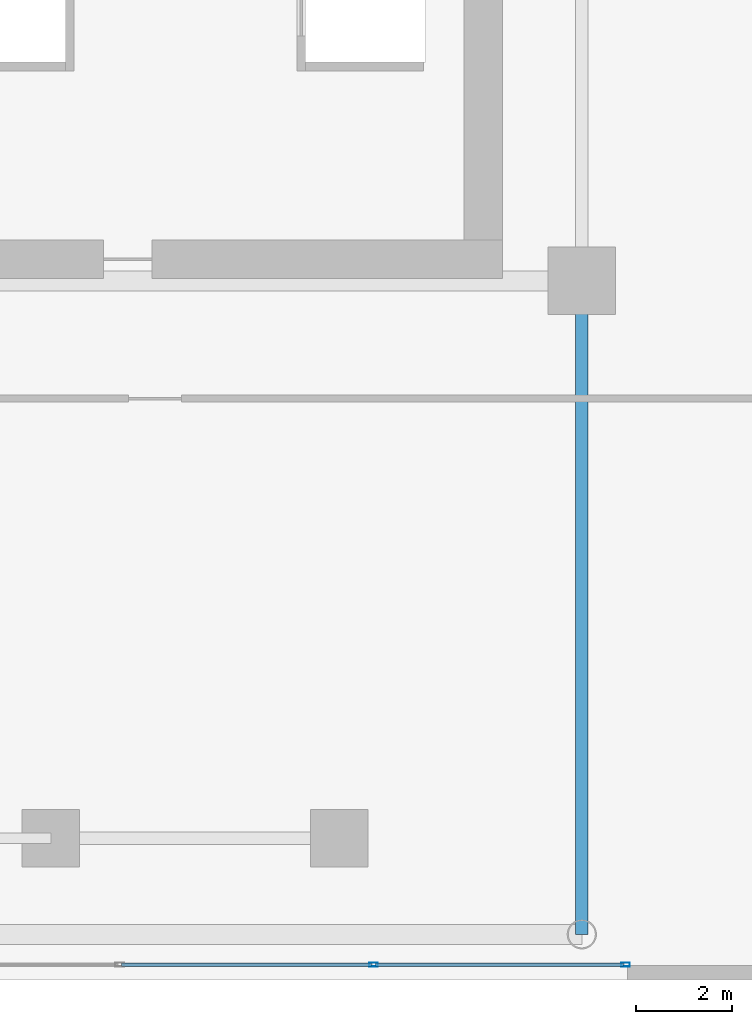
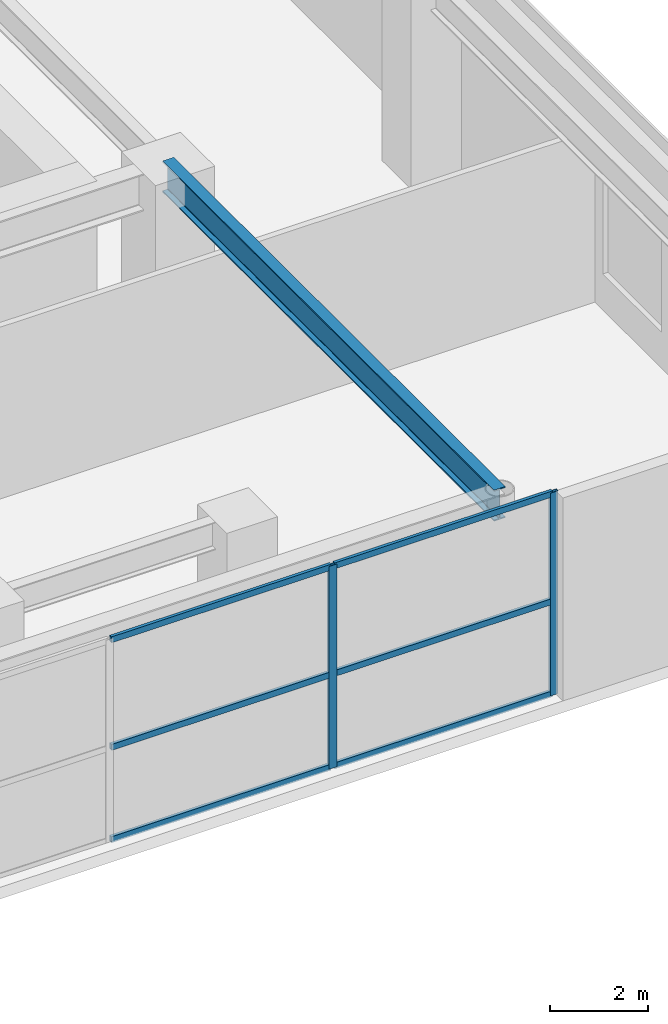
# One storey, part 10 of 29: 8 members, 1 beam, 1 element without a shape of its own.
"""IFC4 building model written with IfcOpenShell, lengths in metres."""

from ifc_helpers import new_model, si_unit, direction, frame, origin, origin_2d, place, context, subcontext, project, spatial, hollow_rectangle, i_section, extrude, source, transform, mapped, material, layer, layer_set, material_profile, profile_set, type_object, element, aggregate, save


model = new_model("IFC4")

# Units and contexts
model_context = context("Model", 3, precision=1e-05, world=origin(), true_north=direction((0.0, 1.0)))
body_context = subcontext(model_context, "Body", "Model", "MODEL_VIEW")
ifc_project = project(units=[si_unit("LENGTHUNIT", "METRE"), si_unit("AREAUNIT", "SQUARE_METRE"), si_unit("VOLUMEUNIT", "CUBIC_METRE"), si_unit("PLANEANGLEUNIT", "RADIAN"), si_unit("MASSUNIT", "GRAM", prefix="KILO")], contexts=[model_context])

# Site, building, storey
site_placement = place(None, origin())
site = spatial("IfcSite", under=ifc_project, at=site_placement, CompositionType="ELEMENT")
building_placement = place(site_placement, origin())
building = spatial("IfcBuilding", under=site, at=building_placement, Name="Ocotamira Hotel", CompositionType="ELEMENT")
storey_placement = place(building_placement, frame((0.0, 0.0, 6.0)))
storey = spatial("IfcBuildingStorey", under=building, at=storey_placement, Name="L02", CompositionType="ELEMENT", Elevation=6.0)

# Beam
ifc_material_1 = material(Name="Steel ASTM A992 Grade 50", Category="steel")
ifc_material_profile_1 = material_profile(ifc_material_1, i_section(OverallWidth=0.26611328125, OverallDepth=0.779052734375, WebThickness=0.0166015625, FlangeThickness=0.030029296875, FilletRadius=0.01806640625, at=origin_2d()), Name="W30X148")
ifc_profile_set_1 = profile_set([ifc_material_profile_1], Name="Steel ASTM A992 Grade 50")
beam_type = type_object("IfcBeamType", Name="BM-GIRD-W30X148", PredefinedType="BEAM", material=ifc_profile_set_1)
shared_shape_1 = source(origin(), body_context, "Body", "SweptSolid", [
    extrude(i_section(OverallWidth=0.26611328125, OverallDepth=0.779052734375, WebThickness=0.0166015625, FlangeThickness=0.030029296875, FilletRadius=0.01806640625, at=origin_2d()), origin(), (0.0, 0.0, 1.0), 13.60009765625),
])
beam_placement = place(storey_placement, frame((55.050048828125, 0.949951171875, 4.6904296875), z_axis=(0.0, 1.0, 0.0), x_axis=(-1.0, 0.0, 0.0)))
element("IfcBeam", 1, at=beam_placement, inside=storey, type_object=beam_type, Name="L02 Beam X55.05 Y0.95-14.55", PredefinedType="BEAM", context=body_context, shape_type="MappedRepresentation", body=[
    mapped(shared_shape_1, transform((0.0, 0.0, 0.0), scale=1.0)),
])

# Curtain wall, members
ifc_material_2 = material(Name="Anodised pale-metal aluminium and solar glass", Category="aluminium")
ifc_layer = layer(ifc_material_2, 0.219970703125)
ifc_layer_set = layer_set([ifc_layer], Name="Anodised pale-metal aluminium and solar glass")
curtain_wall_type = type_object("IfcCurtainWallType", Name="CW-SYS1-POD", PredefinedType="NOTDEFINED", material=ifc_layer_set)
curtain_wall_placement = place(storey_placement, origin())
curtain_wall = element("IfcCurtainWall", 2, at=curtain_wall_placement, inside=storey, type_object=curtain_wall_type, Name="L02 Curtain Wall CW-1 CW-L02-SE", PredefinedType="NOTDEFINED")
ifc_material_3 = material(Name="Anodised pale-metal aluminium 6063-T6", Category="aluminium")
ifc_material_profile_2 = material_profile(ifc_material_3, hollow_rectangle(XDim=0.080078125, YDim=0.179931640625, WallThickness=0.006103515625, at=origin_2d()), Name="HSS180X80X6")
ifc_profile_set_2 = profile_set([ifc_material_profile_2], Name="Anodised pale-metal aluminium 6063-T6")
member_type_1 = type_object("IfcMemberType", Name="CWM-180X75", PredefinedType="MULLION", material=ifc_profile_set_2)
shared_shape_2 = source(origin(), body_context, "Body", "SweptSolid", [
    extrude(hollow_rectangle(XDim=0.080078125, YDim=0.179931640625, WallThickness=0.006103515625, at=origin_2d()), origin(), (0.0, 0.0, 1.0), 5.080078125),
])
member_1_placement = place(storey_placement, frame((50.716552734375, 0.320068359375, 0.0), z_axis=(0.0, 0.0, 1.0), x_axis=(0.0, 1.0, 0.0)))
member_1 = element("IfcMember", 3, at=member_1_placement, type_object=member_type_1, Name="CW-1 mullion 3", PredefinedType="MULLION", context=body_context, shape_type="MappedRepresentation", body=[
    mapped(shared_shape_2, transform((0.0, 0.0, 0.0), scale=1.0)),
])
member_2_placement = place(storey_placement, frame((55.9599609375, 0.320068359375, 0.0), z_axis=(0.0, 0.0, 1.0), x_axis=(0.0, 1.0, 0.0)))
member_2 = element("IfcMember", 4, at=member_2_placement, type_object=member_type_1, Name="CW-1 mullion 4", PredefinedType="MULLION", context=body_context, shape_type="MappedRepresentation", body=[
    mapped(shared_shape_2, transform((0.0, 0.0, 0.0), scale=1.0)),
])
ifc_material_profile_3 = material_profile(ifc_material_3, hollow_rectangle(XDim=0.074951171875, YDim=0.14990234375, WallThickness=0.006103515625, at=origin_2d()), Name="HSS150X75X6")
ifc_profile_set_3 = profile_set([ifc_material_profile_3], Name="Anodised pale-metal aluminium 6063-T6")
member_type_2 = type_object("IfcMemberType", Name="CWT-150X75", PredefinedType="USERDEFINED", material=ifc_profile_set_3)
shared_shape_3 = source(origin(), body_context, "Body", "SweptSolid", [
    extrude(hollow_rectangle(XDim=0.074951171875, YDim=0.14990234375, WallThickness=0.006103515625, at=origin_2d()), origin(), (0.0, 0.0, 1.0), 5.163330078125),
])
member_3_placement = place(storey_placement, frame((50.756591796875, 0.320068359375, 0.03759765625), z_axis=(1.0, 0.0, 0.0), x_axis=(0.0, 1.0, 0.0)))
member_3 = element("IfcMember", 5, at=member_3_placement, type_object=member_type_2, Name="CW-1 transom 3.1", ObjectType="TRANSOM", PredefinedType="USERDEFINED", context=body_context, shape_type="MappedRepresentation", body=[
    mapped(shared_shape_3, transform((0.0, 0.0, 0.0), scale=1.0)),
])
member_4_placement = place(storey_placement, frame((50.756591796875, 0.320068359375, 2.35009765625), z_axis=(1.0, 0.0, 0.0), x_axis=(0.0, 1.0, 0.0)))
member_4 = element("IfcMember", 6, at=member_4_placement, type_object=member_type_2, Name="CW-1 transom 3.2", ObjectType="TRANSOM", PredefinedType="USERDEFINED", context=body_context, shape_type="MappedRepresentation", body=[
    mapped(shared_shape_3, transform((0.0, 0.0, 0.0), scale=1.0)),
])
member_5_placement = place(storey_placement, frame((50.756591796875, 0.320068359375, 5.04248046875), z_axis=(1.0, 0.0, 0.0), x_axis=(0.0, 1.0, 0.0)))
member_5 = element("IfcMember", 7, at=member_5_placement, type_object=member_type_2, Name="CW-1 transom 3.3", ObjectType="TRANSOM", PredefinedType="USERDEFINED", context=body_context, shape_type="MappedRepresentation", body=[
    mapped(shared_shape_3, transform((0.0, 0.0, 0.0), scale=1.0)),
])
shared_shape_4 = source(origin(), body_context, "Body", "SweptSolid", [
    extrude(hollow_rectangle(XDim=0.074951171875, YDim=0.14990234375, WallThickness=0.006103515625, at=origin_2d()), origin(), (0.0, 0.0, 1.0), 5.203369140625),
])
member_6_placement = place(storey_placement, frame((45.473388671875, 0.320068359375, 0.03759765625), z_axis=(1.0, 0.0, 0.0), x_axis=(0.0, 1.0, 0.0)))
member_6 = element("IfcMember", 8, at=member_6_placement, type_object=member_type_2, Name="CW-1 transom 2.1", ObjectType="TRANSOM", PredefinedType="USERDEFINED", context=body_context, shape_type="MappedRepresentation", body=[
    mapped(shared_shape_4, transform((0.0, 0.0, 0.0), scale=1.0)),
])
member_7_placement = place(storey_placement, frame((45.473388671875, 0.320068359375, 2.35009765625), z_axis=(1.0, 0.0, 0.0), x_axis=(0.0, 1.0, 0.0)))
member_7 = element("IfcMember", 9, at=member_7_placement, type_object=member_type_2, Name="CW-1 transom 2.2", ObjectType="TRANSOM", PredefinedType="USERDEFINED", context=body_context, shape_type="MappedRepresentation", body=[
    mapped(shared_shape_4, transform((0.0, 0.0, 0.0), scale=1.0)),
])
member_8_placement = place(storey_placement, frame((45.473388671875, 0.320068359375, 5.04248046875), z_axis=(1.0, 0.0, 0.0), x_axis=(0.0, 1.0, 0.0)))
member_8 = element("IfcMember", 10, at=member_8_placement, type_object=member_type_2, Name="CW-1 transom 2.3", ObjectType="TRANSOM", PredefinedType="USERDEFINED", context=body_context, shape_type="MappedRepresentation", body=[
    mapped(shared_shape_4, transform((0.0, 0.0, 0.0), scale=1.0)),
])
aggregate(curtain_wall, [member_1, member_2, member_6, member_7, member_8, member_3, member_4, member_5])

save(model, "model.ifc")
